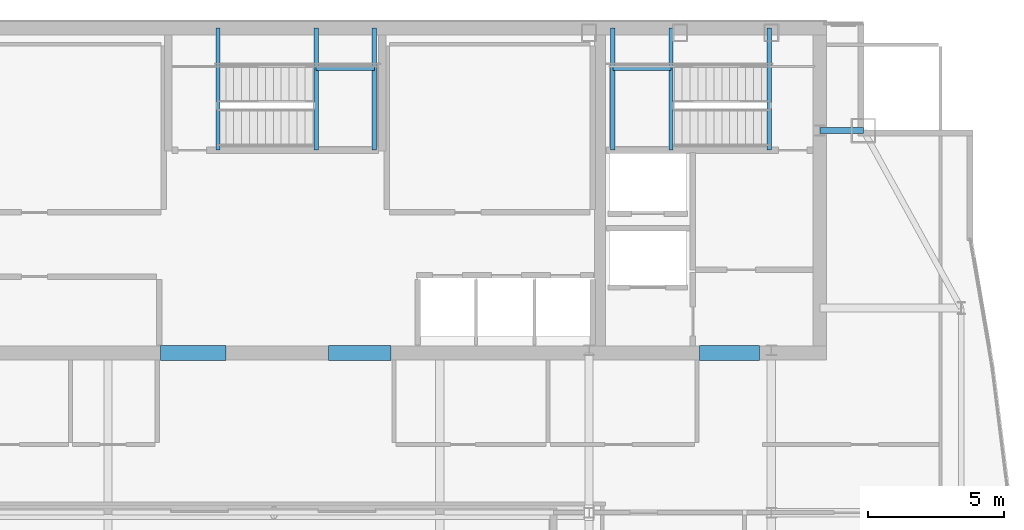
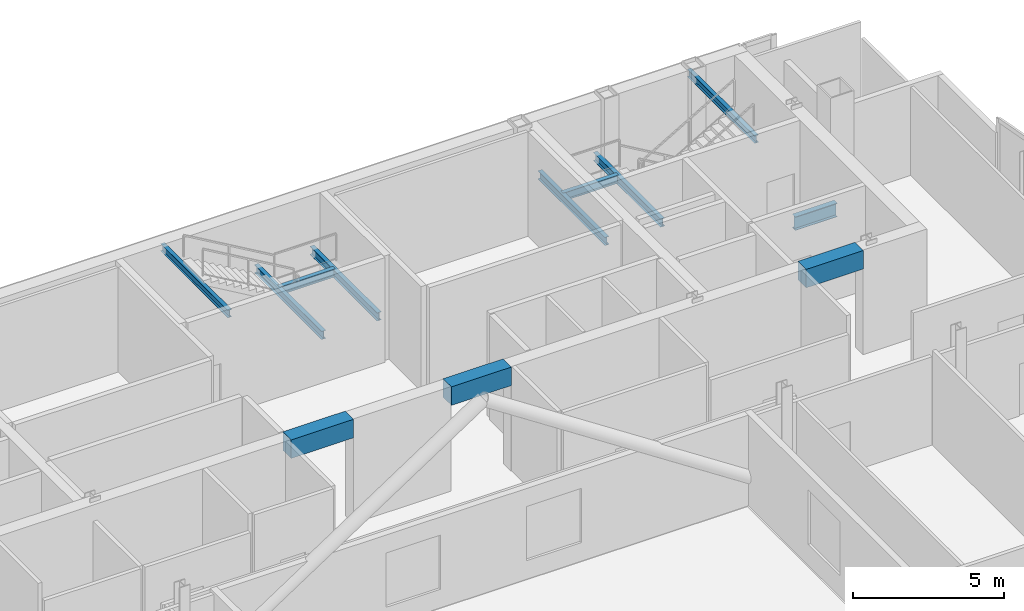
# One storey, part 19 of 27: 12 beams.
"""IFC4 building model written with IfcOpenShell, lengths in metres."""

from ifc_helpers import new_model, si_unit, direction, frame, origin, origin_2d, place, context, subcontext, project, spatial, rectangle, i_section, extrude, material, material_profile, profile_set, type_object, element, save


model = new_model("IFC4")

# Units and contexts
model_context = context("Model", 3, precision=1e-05, world=origin(), true_north=direction((0.0, 1.0)))
body_context = subcontext(model_context, "Body", "Model", "MODEL_VIEW")
ifc_project = project(units=[si_unit("LENGTHUNIT", "METRE"), si_unit("AREAUNIT", "SQUARE_METRE"), si_unit("VOLUMEUNIT", "CUBIC_METRE"), si_unit("PLANEANGLEUNIT", "RADIAN"), si_unit("MASSUNIT", "GRAM", prefix="KILO")], contexts=[model_context])

# Site, building, storey
site_placement = place(None, origin())
site = spatial("IfcSite", under=ifc_project, at=site_placement, CompositionType="ELEMENT")
building_placement = place(site_placement, origin())
building = spatial("IfcBuilding", under=site, at=building_placement, Name="Khoronbel Lancet Exchange", CompositionType="ELEMENT")
storey_placement = place(building_placement, frame((0.0, 0.0, 305.800048828125)))
storey = spatial("IfcBuildingStorey", under=building, at=storey_placement, Name="L79", CompositionType="ELEMENT", Elevation=305.800048828125)

# Beams
ifc_material_1 = material(Name="Steel S355", Category="steel")
ifc_material_profile_1 = material_profile(ifc_material_1, i_section(OverallWidth=0.159912109375, OverallDepth=0.330078125, WebThickness=0.007568359375, FlangeThickness=0.011474609375, at=origin_2d()), Name="IPE 330")
ifc_profile_set_1 = profile_set([ifc_material_profile_1], Name="Steel S355")
beam_type_1 = type_object("IfcBeamType", Name="BM-BJ7", PredefinedType="JOIST", material=ifc_profile_set_1)
for number, where, z_axis, x_axis, name in (
    (1, (51.0, 48.97998046875, 1.8349609375), (0.0, 1.0, 0.0), (-1.0, 0.0, 0.0), "Level L79 stair ST2 landing bearer beam 1"),
    (2, (48.8701171875, 48.97998046875, 1.8349609375), (0.0, 1.0, 0.0), (-1.0, 0.0, 0.0), "Level L79 stair ST2 rear landing bearer beam 1"),
):
    element("IfcBeam", number, at=place(storey_placement, frame(where, z_axis=z_axis, x_axis=x_axis)), inside=storey, type_object=beam_type_1, Name=name, PredefinedType="JOIST", context=body_context, shape_type="SweptSolid", body=[
        extrude(i_section(OverallWidth=0.159912109375, OverallDepth=0.330078125, WebThickness=0.007568359375, FlangeThickness=0.011474609375, at=origin_2d()), origin(), (0.0, 0.0, 1.0), 4.469970703125),
    ])
beam_1_placement = place(storey_placement, frame((48.8701171875, 51.97998046875, 1.8349609375), z_axis=(1.0, 0.0, 0.0), x_axis=(0.0, 1.0, 0.0)))
element("IfcBeam", 3, at=beam_1_placement, inside=storey, type_object=beam_type_1, Name="Level L79 stair ST2 landing cross trimmer beam 1", PredefinedType="JOIST", context=body_context, shape_type="SweptSolid", body=[
    extrude(i_section(OverallWidth=0.159912109375, OverallDepth=0.330078125, WebThickness=0.007568359375, FlangeThickness=0.011474609375, at=origin_2d()), origin(), (0.0, 0.0, 1.0), 2.1298828125),
])
for number, where, z_axis, x_axis, name in (
    (4, (38.0, 48.97998046875, 1.8349609375), (0.0, 1.0, 0.0), (-1.0, 0.0, 0.0), "Level L79 stair ST3 landing bearer beam 1"),
    (5, (40.1298828125, 48.97998046875, 1.8349609375), (0.0, 1.0, 0.0), (-1.0, 0.0, 0.0), "Level L79 stair ST3 rear landing bearer beam 1"),
):
    element("IfcBeam", number, at=place(storey_placement, frame(where, z_axis=z_axis, x_axis=x_axis)), inside=storey, type_object=beam_type_1, Name=name, PredefinedType="JOIST", context=body_context, shape_type="SweptSolid", body=[
        extrude(i_section(OverallWidth=0.159912109375, OverallDepth=0.330078125, WebThickness=0.007568359375, FlangeThickness=0.011474609375, at=origin_2d()), origin(), (0.0, 0.0, 1.0), 4.469970703125),
    ])
beam_2_placement = place(storey_placement, frame((38.0, 51.97998046875, 1.8349609375), z_axis=(1.0, 0.0, 0.0), x_axis=(0.0, 1.0, 0.0)))
element("IfcBeam", 6, at=beam_2_placement, inside=storey, type_object=beam_type_1, Name="Level L79 stair ST3 landing cross trimmer beam 1", PredefinedType="JOIST", context=body_context, shape_type="SweptSolid", body=[
    extrude(i_section(OverallWidth=0.159912109375, OverallDepth=0.330078125, WebThickness=0.007568359375, FlangeThickness=0.011474609375, at=origin_2d()), origin(), (0.0, 0.0, 1.0), 2.1298828125),
])
ifc_material_profile_2 = material_profile(ifc_material_1, i_section(OverallWidth=0.14990234375, OverallDepth=0.300048828125, WebThickness=0.007080078125, FlangeThickness=0.0107421875, at=origin_2d()), Name="IPE 300")
ifc_profile_set_2 = profile_set([ifc_material_profile_2], Name="Steel S355")
beam_type_2 = type_object("IfcBeamType", Name="BM-BJ8", PredefinedType="JOIST", material=ifc_profile_set_2)
for number, where, z_axis, x_axis, name in (
    (7, (54.60009765625, 48.97998046875, 3.9599609375), (0.0, 1.0, 0.0), (-1.0, 0.0, 0.0), "Level L79 stair ST2 upper-flight arrival trimmer beam"),
    (8, (34.39990234375, 48.97998046875, 3.9599609375), (0.0, 1.0, 0.0), (-1.0, 0.0, 0.0), "Level L79 stair ST3 upper-flight arrival trimmer beam"),
):
    element("IfcBeam", number, at=place(storey_placement, frame(where, z_axis=z_axis, x_axis=x_axis)), inside=storey, type_object=beam_type_2, Name=name, PredefinedType="JOIST", context=body_context, shape_type="SweptSolid", body=[
        extrude(i_section(OverallWidth=0.14990234375, OverallDepth=0.300048828125, WebThickness=0.007080078125, FlangeThickness=0.0107421875, at=origin_2d()), origin(), (0.0, 0.0, 1.0), 4.469970703125),
    ])
ifc_material_2 = material(Name="Concrete C60/75", Category="concrete")
ifc_material_profile_3 = material_profile(ifc_material_2, rectangle(XDim=0.550048828125, YDim=0.75, at=origin_2d()), Name="RC 550x750")
ifc_profile_set_3 = profile_set([ifc_material_profile_3], Name="Concrete C60/75")
beam_type_3 = type_object("IfcBeamType", Name="BM-BL2", PredefinedType="LINTEL", material=ifc_profile_set_3)
beam_3_placement = place(storey_placement, frame((32.300048828125, 41.550048828125, 3.864990234375), z_axis=(1.0, 0.0, 0.0), x_axis=(0.0, 1.0, 0.0)))
element("IfcBeam", 9, at=beam_3_placement, inside=storey, type_object=beam_type_3, Name="Level L79 rear core coupling lintel L2", PredefinedType="LINTEL", context=body_context, shape_type="SweptSolid", body=[
    extrude(rectangle(XDim=0.550048828125, YDim=0.75, at=origin_2d()), origin(), (0.0, 0.0, 1.0), 2.39990234375),
])
beam_4_placement = place(storey_placement, frame((38.449951171875, 41.550048828125, 3.864990234375), z_axis=(1.0, 0.0, 0.0), x_axis=(0.0, 1.0, 0.0)))
element("IfcBeam", 10, at=beam_4_placement, inside=storey, type_object=beam_type_3, Name="Level L79 rear core coupling lintel L3", PredefinedType="LINTEL", context=body_context, shape_type="SweptSolid", body=[
    extrude(rectangle(XDim=0.550048828125, YDim=0.75, at=origin_2d()), origin(), (0.0, 0.0, 1.0), 2.300048828125),
])
beam_5_placement = place(storey_placement, frame((52.050048828125, 41.550048828125, 3.864990234375), z_axis=(1.0, 0.0, 0.0), x_axis=(0.0, 1.0, 0.0)))
element("IfcBeam", 11, at=beam_5_placement, inside=storey, type_object=beam_type_3, Name="Level L79 rear core coupling lintel L4", PredefinedType="LINTEL", context=body_context, shape_type="SweptSolid", body=[
    extrude(rectangle(XDim=0.550048828125, YDim=0.75, at=origin_2d()), origin(), (0.0, 0.0, 1.0), 2.199951171875),
])
ifc_material_profile_4 = material_profile(ifc_material_1, i_section(OverallWidth=0.2099609375, OverallDepth=0.550048828125, WebThickness=0.010986328125, FlangeThickness=0.01708984375, at=origin_2d()), Name="IPE 550")
ifc_profile_set_4 = profile_set([ifc_material_profile_4], Name="Steel S355")
beam_type_4 = type_object("IfcBeamType", Name="BM-BSP3", PredefinedType="SPANDREL", material=ifc_profile_set_4)
beam_6_placement = place(storey_placement, frame((58.050048828125, 49.699951171875, -0.4951171875), z_axis=(-1.0, 0.0, 0.0), x_axis=(0.0, -1.0, 0.0)))
element("IfcBeam", 12, at=beam_6_placement, inside=storey, type_object=beam_type_4, Name="Level L79 north flank tie spandrel SP21", PredefinedType="SPANDREL", context=body_context, shape_type="SweptSolid", body=[
    extrude(i_section(OverallWidth=0.2099609375, OverallDepth=0.550048828125, WebThickness=0.010986328125, FlangeThickness=0.01708984375, at=origin_2d()), origin(), (0.0, 0.0, 1.0), 1.60009765625),
])

save(model, "model.ifc")
